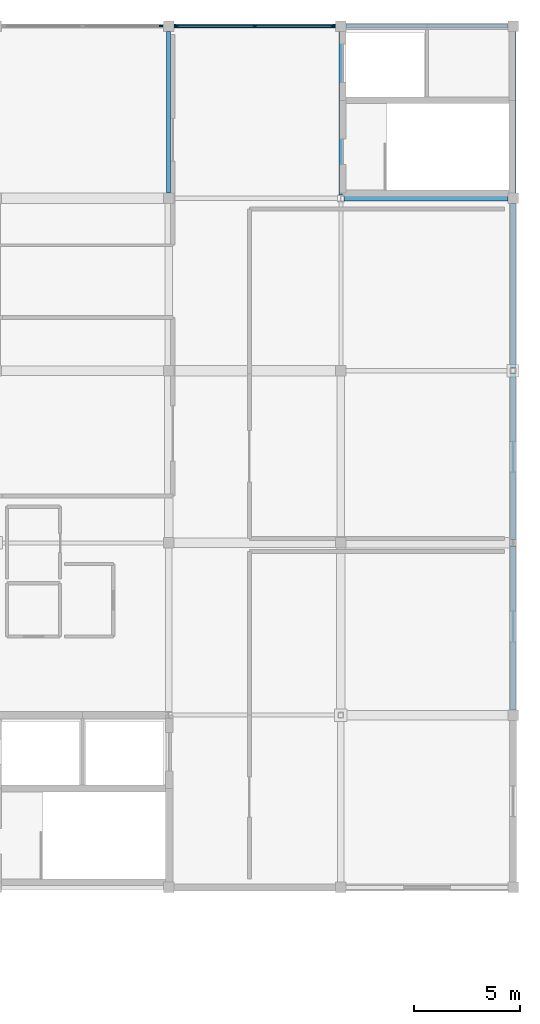
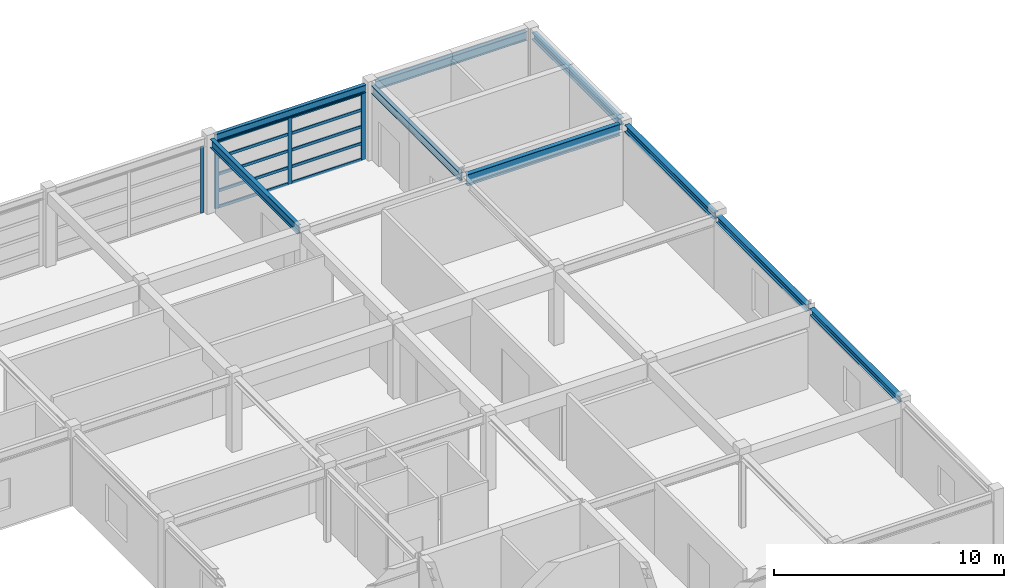
# One storey, part 13 of 19: 14 members, 9 beams, 2 elements without a shape of their own.
"""IFC4 building model written with IfcOpenShell, lengths in metres."""

from ifc_helpers import new_model, si_unit, direction, frame, origin, origin_2d, place, context, subcontext, project, spatial, rectangle, i_section, extrude, material, material_profile, profile_set, type_object, element, aggregate, save


model = new_model("IFC4")

# Units and contexts
model_context = context("Model", 3, precision=1e-05, world=origin(), true_north=direction((0.0, 1.0)))
body_context = subcontext(model_context, "Body", "Model", "MODEL_VIEW")
ifc_project = project(units=[si_unit("LENGTHUNIT", "METRE"), si_unit("AREAUNIT", "SQUARE_METRE"), si_unit("VOLUMEUNIT", "CUBIC_METRE"), si_unit("PLANEANGLEUNIT", "RADIAN"), si_unit("MASSUNIT", "GRAM", prefix="KILO")], contexts=[model_context])

# Site, building, storey
site_placement = place(None, origin())
site = spatial("IfcSite", under=ifc_project, at=site_placement, CompositionType="ELEMENT")
building_placement = place(site_placement, origin())
building = spatial("IfcBuilding", under=site, at=building_placement, Name="Parian Resonance Hall", CompositionType="ELEMENT")
storey_placement = place(building_placement, frame((0.0, 0.0, 23.39990234375)))
storey = spatial("IfcBuildingStorey", under=building, at=storey_placement, Name="L05", CompositionType="ELEMENT", Elevation=23.39990234375)

# Beams
ifc_material_1 = material(Name="Steel S355", Category="steel")
ifc_material_profile_1 = material_profile(ifc_material_1, i_section(OverallWidth=0.2548828125, OverallDepth=0.35693359375, WebThickness=0.010498046875, FlangeThickness=0.018310546875, FilletRadius=0.01513671875, at=origin_2d()), Name="W360x101")
ifc_profile_set_1 = profile_set([ifc_material_profile_1], Name="Steel S355")
beam_type_1 = type_object("IfcBeamType", Name="BM-W360x101", PredefinedType="SPANDREL", material=ifc_profile_set_1)
beam_1_placement = place(storey_placement, frame((145.800048828125, 56.949951171875, 3.79150390625), z_axis=(0.0, 1.0, 0.0), x_axis=(-1.0, 0.0, 0.0)))
element("IfcBeam", 1, at=beam_1_placement, inside=storey, type_object=beam_type_1, Name="GY-L05-1099", PredefinedType="SPANDREL", context=body_context, shape_type="SweptSolid", body=[
    extrude(i_section(OverallWidth=0.2548828125, OverallDepth=0.35693359375, WebThickness=0.010498046875, FlangeThickness=0.018310546875, FilletRadius=0.01513671875, at=origin_2d()), origin(), (0.0, 0.0, 1.0), 7.696044921875),
])
beam_2_placement = place(storey_placement, frame((145.800048828125, 64.9541015625, 3.79150390625), z_axis=(0.0, 1.0, 0.0), x_axis=(-1.0, 0.0, 0.0)))
element("IfcBeam", 2, at=beam_2_placement, inside=storey, type_object=beam_type_1, Name="GY-L05-1100", PredefinedType="SPANDREL", context=body_context, shape_type="SweptSolid", body=[
    extrude(i_section(OverallWidth=0.2548828125, OverallDepth=0.35693359375, WebThickness=0.010498046875, FlangeThickness=0.018310546875, FilletRadius=0.01513671875, at=origin_2d()), origin(), (0.0, 0.0, 1.0), 7.82080078125),
])
beam_3_placement = place(storey_placement, frame((145.800048828125, 73.02490234375, 3.79150390625), z_axis=(0.0, 1.0, 0.0), x_axis=(-1.0, 0.0, 0.0)))
element("IfcBeam", 3, at=beam_3_placement, inside=storey, type_object=beam_type_1, Name="GY-L05-1101", PredefinedType="SPANDREL", context=body_context, shape_type="SweptSolid", body=[
    extrude(i_section(OverallWidth=0.2548828125, OverallDepth=0.35693359375, WebThickness=0.010498046875, FlangeThickness=0.018310546875, FilletRadius=0.01513671875, at=origin_2d()), origin(), (0.0, 0.0, 1.0), 7.72509765625),
])
beam_4_placement = place(storey_placement, frame((145.800048828125, 81.25, 3.79150390625), z_axis=(0.0, 1.0, 0.0), x_axis=(-1.0, 0.0, 0.0)))
element("IfcBeam", 4, at=beam_4_placement, inside=storey, type_object=beam_type_1, Name="GY-L05-1102", PredefinedType="SPANDREL", context=body_context, shape_type="SweptSolid", body=[
    extrude(i_section(OverallWidth=0.2548828125, OverallDepth=0.35693359375, WebThickness=0.010498046875, FlangeThickness=0.018310546875, FilletRadius=0.01513671875, at=origin_2d()), origin(), (0.0, 0.0, 1.0), 7.60009765625),
])
ifc_material_2 = material(Name="Steel S355", Category="steel")
ifc_material_profile_2 = material_profile(ifc_material_2, i_section(OverallWidth=0.180908203125, OverallDepth=0.4169921875, WebThickness=0.010986328125, FlangeThickness=0.018310546875, FilletRadius=0.01513671875, at=origin_2d()), Name="W410x85")
ifc_profile_set_2 = profile_set([ifc_material_profile_2], Name="Steel S355")
beam_type_2 = type_object("IfcBeamType", Name="BM-W410x85", PredefinedType="SPANDREL", material=ifc_profile_set_2)
beam_5_placement = place(storey_placement, frame((129.85009765625, 89.10009765625, 3.76171875), z_axis=(1.0, 0.0, 0.0), x_axis=(0.0, 1.0, 0.0)))
element("IfcBeam", 5, at=beam_5_placement, inside=storey, type_object=beam_type_2, Name="GX-L05-1055", PredefinedType="SPANDREL", context=body_context, shape_type="SweptSolid", body=[
    extrude(i_section(OverallWidth=0.180908203125, OverallDepth=0.4169921875, WebThickness=0.010986328125, FlangeThickness=0.018310546875, FilletRadius=0.01513671875, at=origin_2d()), origin(), (0.0, 0.0, 1.0), 7.599853515625),
])
beam_6_placement = place(storey_placement, frame((137.699951171875, 81.154052734375, 3.76171875), z_axis=(0.0, 1.0, 0.0), x_axis=(-1.0, 0.0, 0.0)))
element("IfcBeam", 6, at=beam_6_placement, inside=storey, type_object=beam_type_2, Name="GY-L05-1097", PredefinedType="SPANDREL", context=body_context, shape_type="SweptSolid", body=[
    extrude(i_section(OverallWidth=0.180908203125, OverallDepth=0.4169921875, WebThickness=0.010986328125, FlangeThickness=0.018310546875, FilletRadius=0.01513671875, at=origin_2d()), origin(), (0.0, 0.0, 1.0), 7.696044921875),
])
ifc_material_3 = material(Name="Steel S355", Category="steel")
ifc_material_profile_3 = material_profile(ifc_material_3, i_section(OverallWidth=0.194091796875, OverallDepth=0.468994140625, WebThickness=0.0126953125, FlangeThickness=0.0205078125, FilletRadius=0.01513671875, at=origin_2d()), Name="W460x106")
ifc_profile_set_3 = profile_set([ifc_material_profile_3], Name="Steel S355")
beam_type_3 = type_object("IfcBeamType", Name="BM-W460x106", PredefinedType="SPANDREL", material=ifc_profile_set_3)
for number, where, z_axis, x_axis, name in (
    (7, (137.949951171875, 89.10009765625, 3.735595703125), (1.0, 0.0, 0.0), (0.0, 1.0, 0.0), "GX-L05-1061"),
    (8, (129.60009765625, 81.25, 3.735595703125), (0.0, 1.0, 0.0), (-1.0, 0.0, 0.0), "GY-L05-1092"),
):
    element("IfcBeam", number, at=place(storey_placement, frame(where, z_axis=z_axis, x_axis=x_axis)), inside=storey, type_object=beam_type_3, Name=name, PredefinedType="SPANDREL", context=body_context, shape_type="SweptSolid", body=[
        extrude(i_section(OverallWidth=0.194091796875, OverallDepth=0.468994140625, WebThickness=0.0126953125, FlangeThickness=0.0205078125, FilletRadius=0.01513671875, at=origin_2d()), origin(), (0.0, 0.0, 1.0), 7.60009765625),
    ])
ifc_material_4 = material(Name="Steel S355", Category="steel")
ifc_material_profile_4 = material_profile(ifc_material_4, i_section(OverallWidth=0.22802734375, OverallDepth=0.60791015625, WebThickness=0.01123046875, FlangeThickness=0.017333984375, FilletRadius=0.017822265625, at=origin_2d()), Name="W610x113")
ifc_profile_set_4 = profile_set([ifc_material_profile_4], Name="Steel S355")
beam_type_4 = type_object("IfcBeamType", Name="BM-W610x113", PredefinedType="USERDEFINED", material=ifc_profile_set_4)
beam_7_placement = place(storey_placement, frame((137.8525390625, 81.0, 3.666015625), z_axis=(1.0, 0.0, 0.0), x_axis=(0.0, 1.0, 0.0)))
element("IfcBeam", 9, at=beam_7_placement, inside=storey, type_object=beam_type_4, Name="GX-L05-1060", ObjectType="GIRDER", PredefinedType="USERDEFINED", context=body_context, shape_type="SweptSolid", body=[
    extrude(i_section(OverallWidth=0.22802734375, OverallDepth=0.60791015625, WebThickness=0.01123046875, FlangeThickness=0.017333984375, FilletRadius=0.017822265625, at=origin_2d()), origin(), (0.0, 0.0, 1.0), 7.697509765625),
])

# Curtain wall, member
ifc_material_5 = material(Name="Bronze-anodised aluminium frame", Category="aluminium")
curtain_wall_type_1 = type_object("IfcCurtainWallType", Name="CW-SYS-04", PredefinedType="NOTDEFINED", material=ifc_material_5)
curtain_wall_1_placement = place(storey_placement, origin())
curtain_wall_1 = element("IfcCurtainWall", 10, at=curtain_wall_1_placement, inside=storey, type_object=curtain_wall_type_1, Name="Curtain wall CW-L05-161", PredefinedType="NOTDEFINED")
ifc_material_6 = material(Name="Bronze-anodised aluminium frame", Category="aluminium")
ifc_material_profile_5 = material_profile(ifc_material_6, rectangle(XDim=0.06494140625, YDim=0.159912109375, at=origin_2d()), Name="CWM-65x160")
ifc_profile_set_5 = profile_set([ifc_material_profile_5], Name="Bronze-anodised aluminium frame")
member_type_1 = type_object("IfcMemberType", Name="CWM-65x160", PredefinedType="MULLION", material=ifc_profile_set_5)
member_1_placement = place(storey_placement, frame((129.237548828125, 89.10009765625, -0.0078125), z_axis=(0.0, 0.0, 1.0), x_axis=(0.0, 1.0, 0.0)))
member_1 = element("IfcMember", 11, at=member_1_placement, type_object=member_type_1, Name="CW-04 mullion 3", PredefinedType="MULLION", context=body_context, shape_type="SweptSolid", body=[
    extrude(rectangle(XDim=0.06494140625, YDim=0.159912109375, at=origin_2d()), origin(), (0.0, 0.0, 1.0), 3.512939453125),
])
aggregate(curtain_wall_1, [member_1])

# Curtain wall, members
ifc_material_7 = material(Name="Bronze-anodised aluminium frame", Category="aluminium")
curtain_wall_type_2 = type_object("IfcCurtainWallType", Name="CW-SYS-05", PredefinedType="NOTDEFINED", material=ifc_material_7)
curtain_wall_2_placement = place(storey_placement, origin())
curtain_wall_2 = element("IfcCurtainWall", 12, at=curtain_wall_2_placement, inside=storey, type_object=curtain_wall_type_2, Name="Curtain wall CW-L05-162", PredefinedType="NOTDEFINED")
ifc_material_8 = material(Name="Bronze-anodised aluminium frame", Category="aluminium")
ifc_material_profile_6 = material_profile(ifc_material_8, rectangle(XDim=0.074951171875, YDim=0.199951171875, at=origin_2d()), Name="CWM-75x200")
ifc_profile_set_6 = profile_set([ifc_material_profile_6], Name="Bronze-anodised aluminium frame")
member_type_2 = type_object("IfcMemberType", Name="CWM-75x200", PredefinedType="MULLION", material=ifc_profile_set_6)
member_2_placement = place(storey_placement, frame((129.967529296875, 89.10009765625, -0.0078125), z_axis=(0.0, 0.0, 1.0), x_axis=(0.0, 1.0, 0.0)))
member_2 = element("IfcMember", 13, at=member_2_placement, type_object=member_type_2, Name="CW-05 mullion 1", PredefinedType="MULLION", context=body_context, shape_type="SweptSolid", body=[
    extrude(rectangle(XDim=0.074951171875, YDim=0.199951171875, at=origin_2d()), origin(), (0.0, 0.0, 1.0), 3.56494140625),
])
member_3_placement = place(storey_placement, frame((133.64990234375, 89.10009765625, -0.0078125), z_axis=(0.0, 0.0, 1.0), x_axis=(0.0, 1.0, 0.0)))
member_3 = element("IfcMember", 14, at=member_3_placement, type_object=member_type_2, Name="CW-05 mullion 2", PredefinedType="MULLION", context=body_context, shape_type="SweptSolid", body=[
    extrude(rectangle(XDim=0.074951171875, YDim=0.199951171875, at=origin_2d()), origin(), (0.0, 0.0, 1.0), 3.56494140625),
])
member_4_placement = place(storey_placement, frame((137.33251953125, 89.10009765625, -0.0078125), z_axis=(0.0, 0.0, 1.0), x_axis=(0.0, 1.0, 0.0)))
member_4 = element("IfcMember", 15, at=member_4_placement, type_object=member_type_2, Name="CW-05 mullion 3", PredefinedType="MULLION", context=body_context, shape_type="SweptSolid", body=[
    extrude(rectangle(XDim=0.074951171875, YDim=0.199951171875, at=origin_2d()), origin(), (0.0, 0.0, 1.0), 3.56494140625),
])
ifc_material_9 = material(Name="Bronze-anodised aluminium frame", Category="aluminium")
ifc_material_profile_7 = material_profile(ifc_material_9, rectangle(XDim=0.074951171875, YDim=0.14990234375, at=origin_2d()), Name="CWT-75x150")
ifc_profile_set_7 = profile_set([ifc_material_profile_7], Name="Bronze-anodised aluminium frame")
member_type_3 = type_object("IfcMemberType", Name="CWT-75x150", PredefinedType="USERDEFINED", material=ifc_profile_set_7)
member_5_placement = place(storey_placement, frame((130.0048828125, 89.10009765625, 0.029541015625), z_axis=(1.0, 0.0, 0.0), x_axis=(0.0, 1.0, 0.0)))
member_5 = element("IfcMember", 16, at=member_5_placement, type_object=member_type_3, Name="CW-05 transom 1.1", ObjectType="TRANSOM", PredefinedType="USERDEFINED", context=body_context, shape_type="SweptSolid", body=[
    extrude(rectangle(XDim=0.074951171875, YDim=0.14990234375, at=origin_2d()), origin(), (0.0, 0.0, 1.0), 3.607666015625),
])
member_6_placement = place(storey_placement, frame((130.0048828125, 89.10009765625, 0.88671875), z_axis=(1.0, 0.0, 0.0), x_axis=(0.0, 1.0, 0.0)))
member_6 = element("IfcMember", 17, at=member_6_placement, type_object=member_type_3, Name="CW-05 transom 1.2", ObjectType="TRANSOM", PredefinedType="USERDEFINED", context=body_context, shape_type="SweptSolid", body=[
    extrude(rectangle(XDim=0.074951171875, YDim=0.14990234375, at=origin_2d()), origin(), (0.0, 0.0, 1.0), 3.607666015625),
])
member_7_placement = place(storey_placement, frame((130.0048828125, 89.10009765625, 1.773681640625), z_axis=(1.0, 0.0, 0.0), x_axis=(0.0, 1.0, 0.0)))
member_7 = element("IfcMember", 18, at=member_7_placement, type_object=member_type_3, Name="CW-05 transom 1.3", ObjectType="TRANSOM", PredefinedType="USERDEFINED", context=body_context, shape_type="SweptSolid", body=[
    extrude(rectangle(XDim=0.074951171875, YDim=0.14990234375, at=origin_2d()), origin(), (0.0, 0.0, 1.0), 3.607666015625),
])
member_8_placement = place(storey_placement, frame((130.0048828125, 89.10009765625, 2.660400390625), z_axis=(1.0, 0.0, 0.0), x_axis=(0.0, 1.0, 0.0)))
member_8 = element("IfcMember", 19, at=member_8_placement, type_object=member_type_3, Name="CW-05 transom 1.4", ObjectType="TRANSOM", PredefinedType="USERDEFINED", context=body_context, shape_type="SweptSolid", body=[
    extrude(rectangle(XDim=0.074951171875, YDim=0.14990234375, at=origin_2d()), origin(), (0.0, 0.0, 1.0), 3.607666015625),
])
member_9_placement = place(storey_placement, frame((130.0048828125, 89.10009765625, 3.51953125), z_axis=(1.0, 0.0, 0.0), x_axis=(0.0, 1.0, 0.0)))
member_9 = element("IfcMember", 20, at=member_9_placement, type_object=member_type_3, Name="CW-05 transom 1.5", ObjectType="TRANSOM", PredefinedType="USERDEFINED", context=body_context, shape_type="SweptSolid", body=[
    extrude(rectangle(XDim=0.074951171875, YDim=0.14990234375, at=origin_2d()), origin(), (0.0, 0.0, 1.0), 3.607666015625),
])
member_10_placement = place(storey_placement, frame((133.6875, 89.10009765625, 0.029541015625), z_axis=(1.0, 0.0, 0.0), x_axis=(0.0, 1.0, 0.0)))
member_10 = element("IfcMember", 21, at=member_10_placement, type_object=member_type_3, Name="CW-05 transom 2.1", ObjectType="TRANSOM", PredefinedType="USERDEFINED", context=body_context, shape_type="SweptSolid", body=[
    extrude(rectangle(XDim=0.074951171875, YDim=0.14990234375, at=origin_2d()), origin(), (0.0, 0.0, 1.0), 3.607421875),
])
member_11_placement = place(storey_placement, frame((133.6875, 89.10009765625, 0.88671875), z_axis=(1.0, 0.0, 0.0), x_axis=(0.0, 1.0, 0.0)))
member_11 = element("IfcMember", 22, at=member_11_placement, type_object=member_type_3, Name="CW-05 transom 2.2", ObjectType="TRANSOM", PredefinedType="USERDEFINED", context=body_context, shape_type="SweptSolid", body=[
    extrude(rectangle(XDim=0.074951171875, YDim=0.14990234375, at=origin_2d()), origin(), (0.0, 0.0, 1.0), 3.607421875),
])
member_12_placement = place(storey_placement, frame((133.6875, 89.10009765625, 1.773681640625), z_axis=(1.0, 0.0, 0.0), x_axis=(0.0, 1.0, 0.0)))
member_12 = element("IfcMember", 23, at=member_12_placement, type_object=member_type_3, Name="CW-05 transom 2.3", ObjectType="TRANSOM", PredefinedType="USERDEFINED", context=body_context, shape_type="SweptSolid", body=[
    extrude(rectangle(XDim=0.074951171875, YDim=0.14990234375, at=origin_2d()), origin(), (0.0, 0.0, 1.0), 3.607421875),
])
member_13_placement = place(storey_placement, frame((133.6875, 89.10009765625, 2.660400390625), z_axis=(1.0, 0.0, 0.0), x_axis=(0.0, 1.0, 0.0)))
member_13 = element("IfcMember", 24, at=member_13_placement, type_object=member_type_3, Name="CW-05 transom 2.4", ObjectType="TRANSOM", PredefinedType="USERDEFINED", context=body_context, shape_type="SweptSolid", body=[
    extrude(rectangle(XDim=0.074951171875, YDim=0.14990234375, at=origin_2d()), origin(), (0.0, 0.0, 1.0), 3.607421875),
])
member_14_placement = place(storey_placement, frame((133.6875, 89.10009765625, 3.51953125), z_axis=(1.0, 0.0, 0.0), x_axis=(0.0, 1.0, 0.0)))
member_14 = element("IfcMember", 25, at=member_14_placement, type_object=member_type_3, Name="CW-05 transom 2.5", ObjectType="TRANSOM", PredefinedType="USERDEFINED", context=body_context, shape_type="SweptSolid", body=[
    extrude(rectangle(XDim=0.074951171875, YDim=0.14990234375, at=origin_2d()), origin(), (0.0, 0.0, 1.0), 3.607421875),
])
aggregate(curtain_wall_2, [member_2, member_3, member_4, member_5, member_6, member_7, member_8, member_9, member_10, member_11, member_12, member_13, member_14])

save(model, "model.ifc")
